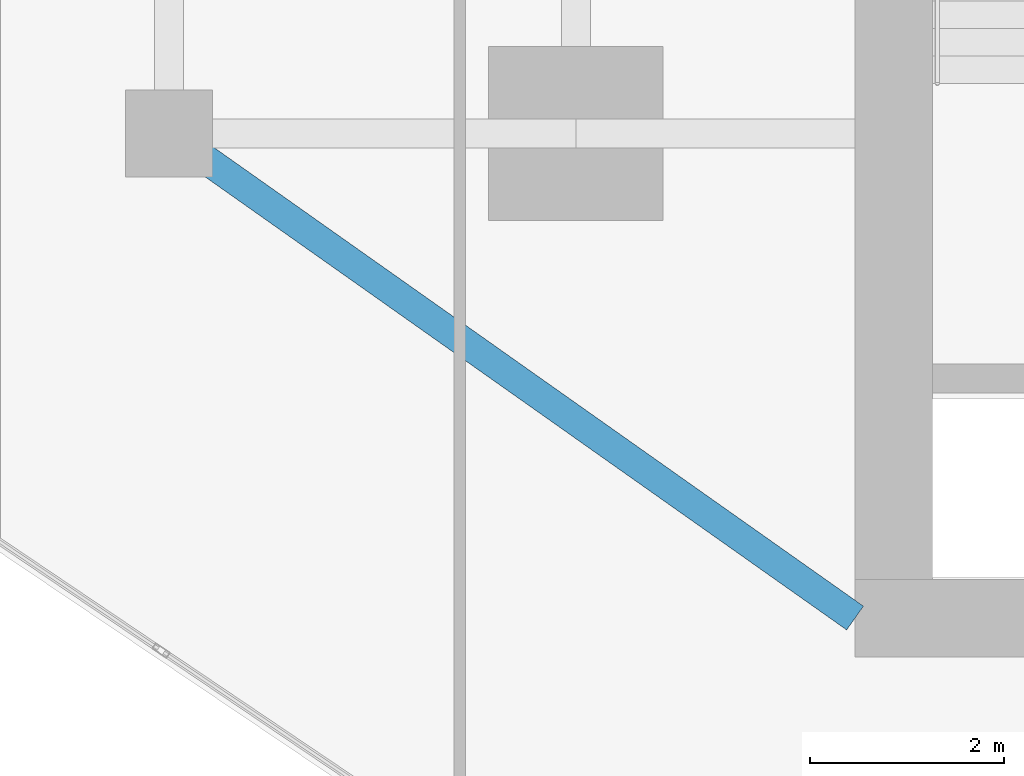
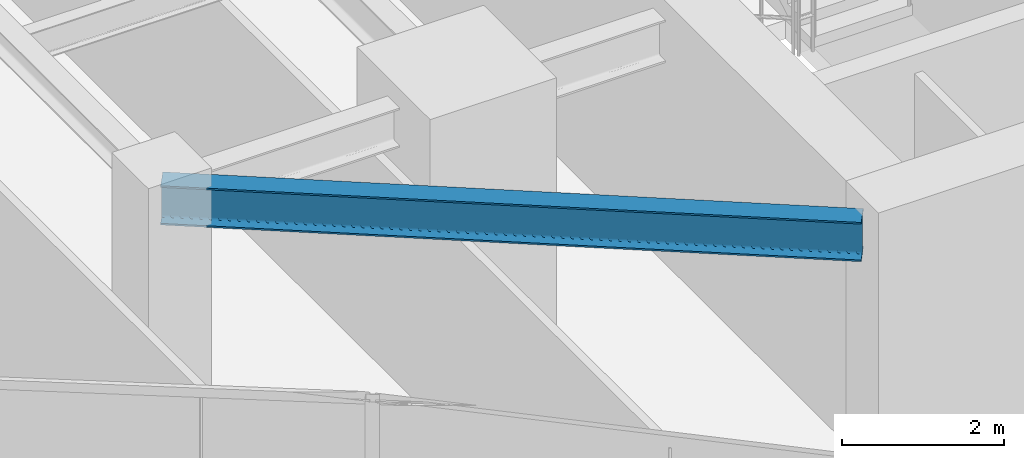
# One storey, part 4 of 27: 1 beam.
"""IFC4 building model written with IfcOpenShell, lengths in metres."""

from ifc_helpers import new_model, si_unit, direction, frame, origin, origin_2d, place, context, subcontext, project, spatial, i_section, extrude, source, transform, mapped, material, material_profile, profile_set, type_object, type_shapes, element, save


model = new_model("IFC4")

# Units and contexts
model_context = context("Model", 3, precision=1e-05, world=origin(), true_north=direction((0.0, 1.0)))
body_context = subcontext(model_context, "Body", "Model", "MODEL_VIEW")
ifc_project = project(units=[si_unit("LENGTHUNIT", "METRE"), si_unit("AREAUNIT", "SQUARE_METRE"), si_unit("VOLUMEUNIT", "CUBIC_METRE"), si_unit("PLANEANGLEUNIT", "RADIAN"), si_unit("MASSUNIT", "GRAM", prefix="KILO")], contexts=[model_context])

# Site, building, storey
site_placement = place(None, origin())
site = spatial("IfcSite", under=ifc_project, at=site_placement, CompositionType="ELEMENT")
building_placement = place(site_placement, origin())
building = spatial("IfcBuilding", under=site, at=building_placement, Name="Krantzveldt Concourse Tower", CompositionType="ELEMENT")
storey_placement = place(building_placement, frame((0.0, 0.0, 185.699951171875)))
storey = spatial("IfcBuildingStorey", under=building, at=storey_placement, Name="L45", CompositionType="ELEMENT", Elevation=185.699951171875)

# Beam
ifc_material = material(Name="Steel S355JR", Category="steel")
ifc_material_profile = material_profile(ifc_material, i_section(OverallWidth=0.300048828125, OverallDepth=0.590087890625, WebThickness=0.012939453125, FlangeThickness=0.02490234375, FilletRadius=0.027099609375, at=origin_2d()), Name="Steel S355JR", Category="steel")
ifc_profile_set = profile_set([ifc_material_profile], Name="Steel S355JR - HEA 600")
beam_type = type_object("IfcBeamType", Name="BM-B-HEA600", PredefinedType="BEAM", material=ifc_profile_set)
shared_shape = source(origin(), body_context, "Body", "SweptSolid", [
    extrude(i_section(OverallWidth=0.300048828125, OverallDepth=0.590087890625, WebThickness=0.012939453125, FlangeThickness=0.02490234375, FilletRadius=0.027099609375, at=origin_2d()), origin(), (0.0, 0.0, 1.0), 8.667724609375),
])
type_shapes(beam_type, [shared_shape])
beam_placement = place(storey_placement, frame((21.0, 15.89990234375, 3.375), z_axis=(0.81684294656, -0.576860122261, 0.0), x_axis=(0.576860122261, 0.81684294656, 0.0)))
element("IfcBeam", 1, at=beam_placement, inside=storey, type_object=beam_type, Name="L45 Tower Girder BR-CSW", PredefinedType="BEAM", context=body_context, shape_type="MappedRepresentation", body=[
    mapped(shared_shape, transform((0.0, 0.0, 0.0), x_axis=(1.0, 0.0, 0.0), y_axis=(0.0, 1.0, 0.0), z_axis=(0.0, 0.0, 1.0), scale=1.0)),
])

save(model, "model.ifc")
